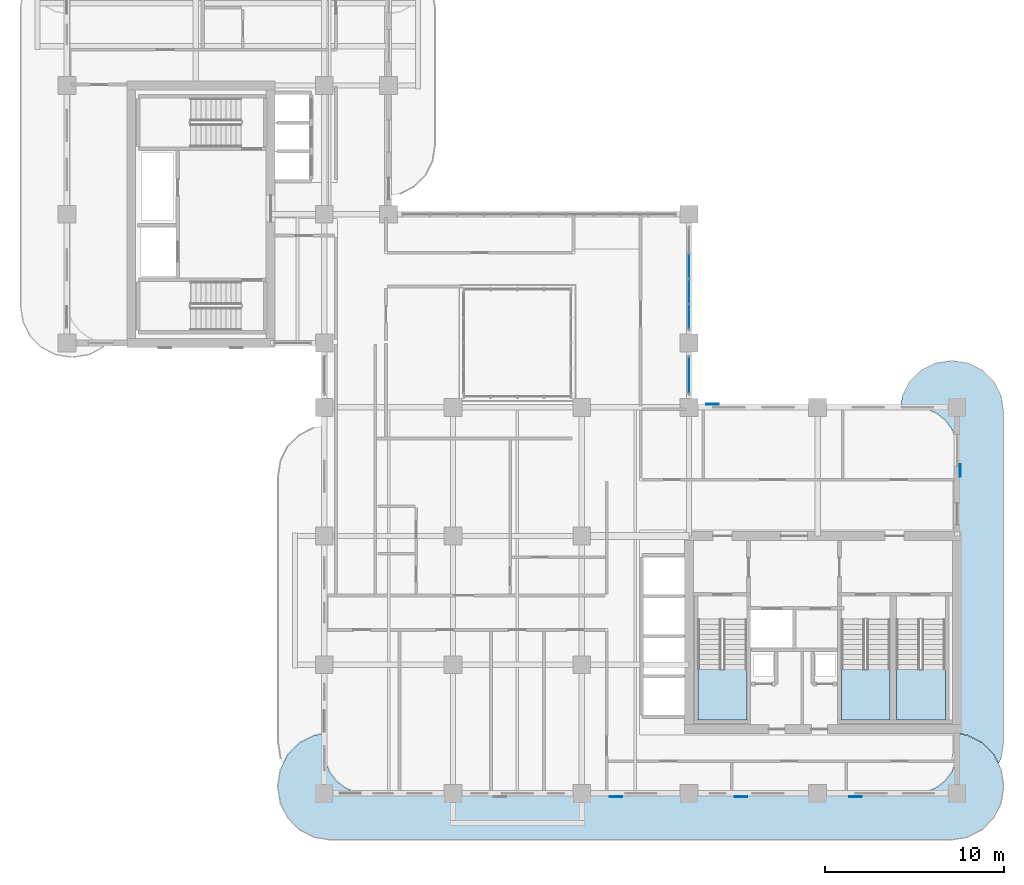
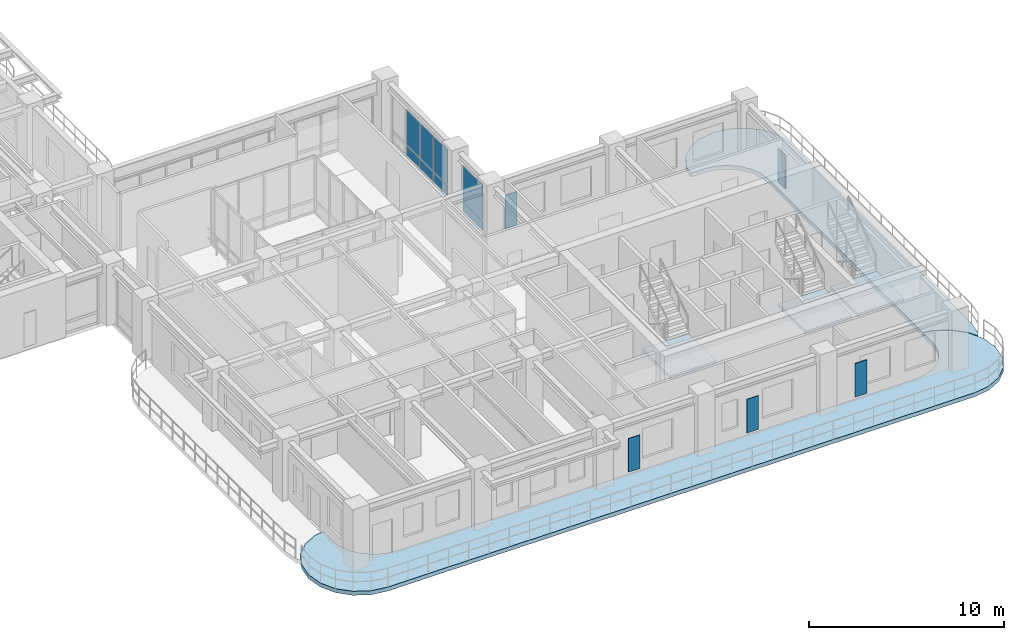
# One storey, part 9 of 20: 13 plates, 5 slabs, 5 elements without a shape of their own.
"""IFC4 building model written with IfcOpenShell, lengths in metres."""

from ifc_helpers import new_model, si_unit, derived_unit, direction, frame, origin, origin_2d, place, context, subcontext, project, spatial, polyline, rectangle, outline, extrude, source, transform, mapped, material, layer, layer_set, type_object, type_shapes, element, aggregate, save


model = new_model("IFC4")

# Units and contexts
model_context = context("Model", 3, precision=1e-05, world=origin(), true_north=direction((0.0, 1.0)))
body_context = subcontext(model_context, "Body", "Model", "MODEL_VIEW")
ifc_project = project(units=[si_unit("LENGTHUNIT", "METRE"), si_unit("AREAUNIT", "SQUARE_METRE"), si_unit("VOLUMEUNIT", "CUBIC_METRE"), si_unit("PLANEANGLEUNIT", "RADIAN"), si_unit("MASSUNIT", "GRAM", prefix="KILO"), si_unit("THERMODYNAMICTEMPERATUREUNIT", "KELVIN"), si_unit("POWERUNIT", "WATT"), derived_unit("THERMALTRANSMITTANCEUNIT", [(si_unit("POWERUNIT", "WATT"), 1), (si_unit("AREAUNIT", "SQUARE_METRE"), -1), (si_unit("THERMODYNAMICTEMPERATUREUNIT", "KELVIN"), -1)])], contexts=[model_context])

# Site, building, storey
site_placement = place(None, origin())
site = spatial("IfcSite", under=ifc_project, at=site_placement, CompositionType="ELEMENT")
building_placement = place(site_placement, origin())
building = spatial("IfcBuilding", under=site, at=building_placement, Name="Zahravan Archway Hotel and Residences", CompositionType="ELEMENT")
storey_placement = place(building_placement, frame((0.0, 0.0, 161.85009765625)))
storey = spatial("IfcBuildingStorey", under=building, at=storey_placement, Name="L40", CompositionType="ELEMENT", Elevation=161.85009765625)

# Slabs
ifc_material_1 = material(Name="Concrete C45/55", Category="concrete")
ifc_layer_1 = layer(ifc_material_1, 0.25, Name="Concrete C45/55", Category="concrete")
ifc_layer_set_1 = layer_set([ifc_layer_1], Name="Concrete C45/55")
slab_type_1 = type_object("IfcSlabType", Name="SLB-BALC-250", PredefinedType="FLOOR", material=ifc_layer_set_1)
slab_1_placement = place(storey_placement, frame((0.0, 0.0, -0.25)))
element("IfcSlab", 1, at=slab_1_placement, inside=storey, type_object=slab_type_1, Name="L40 Wing A South Rounded Balcony Band", PredefinedType="FLOOR", context=body_context, shape_type="SweptSolid", body=[
    extrude(outline(polyline([(50.361572265625, 3.255615234375), (51.18408203125, 2.836669921875), (51.836669921875, 2.18408203125), (52.255615234375, 1.361572265625), (52.39990234375, 0.449951171875), (52.39990234375, 0.35009765625), (52.255615234375, -0.5615234375), (51.836669921875, -1.384033203125), (51.18408203125, -2.03662109375), (50.361572265625, -2.45556640625), (49.449951171875, -2.60009765625), (14.75, -2.60009765625), (13.83837890625, -2.45556640625), (13.01611328125, -2.03662109375), (12.36328125, -1.384033203125), (11.9443359375, -0.5615234375), (11.800048828125, 0.35009765625), (11.800048828125, 0.449951171875), (11.9443359375, 1.361572265625), (12.36328125, 2.18408203125), (13.01611328125, 2.836669921875), (13.83837890625, 3.255615234375), (14.3798828125, 3.34130859375), (14.3798828125, 2.39990234375), (14.380126953125, 2.3974609375), (14.4619140625, 1.776123046875), (14.46240234375, 1.7744140625), (14.462646484375, 1.772705078125), (14.46337890625, 1.77099609375), (14.702880859375, 1.1923828125), (14.703857421875, 1.19091796875), (14.70458984375, 1.189208984375), (14.70556640625, 1.187744140625), (15.0869140625, 0.690673828125), (15.088134765625, 0.689453125), (15.08935546875, 0.688232421875), (15.0908203125, 0.68701171875), (15.587890625, 0.3056640625), (15.58935546875, 0.3046875), (15.5908203125, 0.3037109375), (15.59228515625, 0.302978515625), (16.171142578125, 0.063232421875), (16.1728515625, 0.062744140625), (16.174560546875, 0.062255859375), (16.17626953125, 0.06201171875), (16.79736328125, -0.019775390625), (16.800048828125, -0.02001953125), (47.39990234375, -0.02001953125), (47.402587890625, -0.019775390625), (48.023681640625, 0.06201171875), (48.025390625, 0.062255859375), (48.027099609375, 0.062744140625), (48.02880859375, 0.063232421875), (48.607666015625, 0.302978515625), (48.609130859375, 0.3037109375), (48.610595703125, 0.3046875), (48.6123046875, 0.3056640625), (49.109375, 0.68701171875), (49.110595703125, 0.688232421875), (49.11181640625, 0.689453125), (49.113037109375, 0.690673828125), (49.494384765625, 1.187744140625), (49.495361328125, 1.189208984375), (49.49609375, 1.19091796875), (49.4970703125, 1.1923828125), (49.73681640625, 1.77099609375), (49.7373046875, 1.772705078125), (49.73779296875, 1.7744140625), (49.738037109375, 1.776123046875), (49.81982421875, 2.3974609375), (49.820068359375, 2.39990234375), (49.820068359375, 3.34130859375), (50.361572265625, 3.255615234375)])), origin(), (0.0, 0.0, 1.0), 0.25),
])
slab_2_placement = place(storey_placement, frame((0.0, 0.0, -0.25)))
element("IfcSlab", 2, at=slab_2_placement, inside=storey, type_object=slab_type_1, Name="L40 Wing A East Rounded Balcony Band", PredefinedType="FLOOR", context=body_context, shape_type="SweptSolid", body=[
    extrude(outline(polyline([(46.739501953125, 22.230712890625), (47.144287109375, 23.025146484375), (47.77490234375, 23.65576171875), (48.5693359375, 24.060546875), (49.449951171875, 24.199951171875), (49.550048828125, 24.199951171875), (50.4306640625, 24.060546875), (51.22509765625, 23.65576171875), (51.855712890625, 23.025146484375), (52.260498046875, 22.230712890625), (52.39990234375, 21.35009765625), (52.39990234375, 2.85009765625), (52.260498046875, 1.96923828125), (52.114501953125, 1.6826171875), (51.8544921875, 2.193115234375), (51.853515625, 2.19482421875), (51.85205078125, 2.196533203125), (51.8505859375, 2.197998046875), (51.197998046875, 2.8505859375), (51.196533203125, 2.85205078125), (51.19482421875, 2.853515625), (51.193115234375, 2.8544921875), (50.37060546875, 3.2734375), (50.368896484375, 3.2744140625), (50.36669921875, 3.27490234375), (50.36474609375, 3.275390625), (49.822998046875, 3.361083984375), (49.8212890625, 3.361328125), (49.820068359375, 3.361328125), (49.820068359375, 19.199951171875), (49.81982421875, 19.20263671875), (49.738037109375, 19.82373046875), (49.73779296875, 19.825439453125), (49.7373046875, 19.8271484375), (49.73681640625, 19.828857421875), (49.4970703125, 20.40771484375), (49.49609375, 20.4091796875), (49.495361328125, 20.41064453125), (49.494384765625, 20.412109375), (49.113037109375, 20.9091796875), (49.11181640625, 20.91064453125), (49.110595703125, 20.911865234375), (49.109375, 20.9130859375), (48.6123046875, 21.29443359375), (48.610595703125, 21.29541015625), (48.609130859375, 21.296142578125), (48.607666015625, 21.297119140625), (48.02880859375, 21.53662109375), (48.027099609375, 21.537353515625), (48.025390625, 21.53759765625), (48.023681640625, 21.5380859375), (47.402587890625, 21.619873046875), (47.39990234375, 21.6201171875), (46.642822265625, 21.6201171875), (46.739501953125, 22.230712890625)])), origin(), (0.0, 0.0, 1.0), 0.25),
])

# Stair, slab
ifc_material_2 = material(Name="Concrete C50/60", Category="concrete")
stair_type = type_object("IfcStairType", Name="STR-CORE-1300", PredefinedType="HALF_TURN_STAIR", material=ifc_material_2)
stair_1_placement = place(storey_placement, origin())
stair_1 = element("IfcStair", 3, at=stair_1_placement, inside=storey, type_object=stair_type, Name="L40 Core A Exit Stair 1", PredefinedType="HALF_TURN_STAIR")
ifc_layer_2 = layer(ifc_material_2, 0.199951171875, Name="Concrete C50/60", Category="concrete")
ifc_layer_set_2 = layer_set([ifc_layer_2], Name="Concrete C50/60")
slab_type_2 = type_object("IfcSlabType", Name="SLB-LND-200", PredefinedType="LANDING", material=ifc_layer_set_2)
slab_3_placement = place(storey_placement, frame((0.0, 0.0, 1.724853515625)))
slab_3 = element("IfcSlab", 4, at=slab_3_placement, type_object=slab_type_2, Name="ST-A1 landing 1", PredefinedType="LANDING", context=body_context, shape_type="SweptSolid", body=[
    extrude(outline(polyline([(35.300048828125, 6.929931640625), (35.300048828125, 4.10009765625), (38.0400390625, 4.10009765625), (38.0400390625, 6.929931640625), (35.300048828125, 6.929931640625)])), origin(), (0.0, 0.0, 1.0), 0.199951171875),
])
aggregate(stair_1, [slab_3])

stair_2_placement = place(storey_placement, origin())
stair_2 = element("IfcStair", 5, at=stair_2_placement, inside=storey, type_object=stair_type, Name="L40 Core A Exit Stair 2", PredefinedType="HALF_TURN_STAIR")
slab_4_placement = place(storey_placement, frame((0.0, 0.0, 1.724853515625)))
slab_4 = element("IfcSlab", 6, at=slab_4_placement, type_object=slab_type_2, Name="ST-A2 landing 1", PredefinedType="LANDING", context=body_context, shape_type="SweptSolid", body=[
    extrude(outline(polyline([(43.320068359375, 6.929931640625), (43.320068359375, 4.10009765625), (46.06005859375, 4.10009765625), (46.06005859375, 6.929931640625), (43.320068359375, 6.929931640625)])), origin(), (0.0, 0.0, 1.0), 0.199951171875),
])
aggregate(stair_2, [slab_4])

stair_3_placement = place(storey_placement, origin())
stair_3 = element("IfcStair", 7, at=stair_3_placement, inside=storey, type_object=stair_type, Name="L40 Core A Exit Stair 3", PredefinedType="HALF_TURN_STAIR")
slab_5_placement = place(storey_placement, frame((0.0, 0.0, 1.724853515625)))
slab_5 = element("IfcSlab", 8, at=slab_5_placement, type_object=slab_type_2, Name="ST-A3 landing 1", PredefinedType="LANDING", context=body_context, shape_type="SweptSolid", body=[
    extrude(outline(polyline([(46.39990234375, 6.929931640625), (46.39990234375, 4.10009765625), (49.139892578125, 4.10009765625), (49.139892578125, 6.929931640625), (46.39990234375, 6.929931640625)])), origin(), (0.0, 0.0, 1.0), 0.199951171875),
])
aggregate(stair_3, [slab_5])

# Plates
ifc_material_3 = material(Name="Perforated Cast Bronze Jali Lattice")
ifc_layer_3 = layer(ifc_material_3, 0.044921875, Name="Perforated Cast Bronze Jali Lattice")
ifc_layer_set_3 = layer_set([ifc_layer_3], Name="Perforated Cast Bronze Jali Lattice")
plate_type_1 = type_object("IfcPlateType", Name="PLT-JALI-BAY", PredefinedType="USERDEFINED", material=ifc_layer_set_3)
shared_shape_1 = source(origin(), body_context, "Body", "SweptSolid", [
    extrude(rectangle(XDim=0.699951171875, YDim=0.044921875, at=origin_2d()), origin(), (0.0, 0.0, 1.0), 2.10009765625),
])
type_shapes(plate_type_1, [shared_shape_1])
for number, where, z_axis, x_axis, name in (
    (9, (30.7080078125, -0.177978515625, 0.249755859375), (0.0, 0.0, 1.0), (1.0, 0.0, 0.0), "L40 Perforated Bronze Jali Pier Screen 02"),
    (10, (37.7080078125, -0.177978515625, 0.249755859375), (0.0, 0.0, 1.0), (1.0, 0.0, 0.0), "L40 Perforated Bronze Jali Pier Screen 03"),
    (11, (44.10791015625, -0.177978515625, 0.249755859375), (0.0, 0.0, 1.0), (1.0, 0.0, 0.0), "L40 Perforated Bronze Jali Pier Screen 04"),
    (12, (49.97802734375, 18.05908203125, 0.249755859375), (0.0, 0.0, 1.0), (0.0, 1.0, 0.0), "L40 Perforated Bronze Jali Pier Screen 05"),
    (13, (36.10791015625, 21.778076171875, 0.249755859375), (0.0, 0.0, 1.0), (1.0, 0.0, 0.0), "L40 Perforated Bronze Jali Pier Screen 06"),
):
    element("IfcPlate", number, at=place(storey_placement, frame(where, z_axis=z_axis, x_axis=x_axis)), inside=storey, type_object=plate_type_1, Name=name, ObjectType="SCREEN", PredefinedType="USERDEFINED", context=body_context, shape_type="MappedRepresentation", body=[
        mapped(shared_shape_1, transform((0.0, 0.0, 0.0), scale=1.0)),
    ])

# Curtain wall, plates
ifc_material_4 = material(Name="Bronze-Anodized Unitised Aluminium & Low-E Glass", Category="aluminium")
ifc_layer_4 = layer(ifc_material_4, 0.179931640625, Name="Bronze-Anodized Unitised Aluminium & Low-E Glass", Category="aluminium")
ifc_layer_set_4 = layer_set([ifc_layer_4], Name="Bronze-Anodized Unitised Aluminium & Low-E Glass")
curtain_wall_type = type_object("IfcCurtainWallType", Name="CW-TWR-FEAT", PredefinedType="NOTDEFINED", material=ifc_layer_set_4)
curtain_wall_1_placement = place(storey_placement, origin())
curtain_wall_1 = element("IfcCurtainWall", 14, at=curtain_wall_1_placement, inside=storey, type_object=curtain_wall_type, Name="L40 Curtain Wall CW-L40-HNG-E-1", PredefinedType="NOTDEFINED")
ifc_material_5 = material(Name="Insulated Terracotta Spandrel Panel", Category="masonry")
ifc_layer_5 = layer(ifc_material_5, 0.0400390625, Name="Insulated Terracotta Spandrel Panel", Category="masonry")
ifc_layer_set_5 = layer_set([ifc_layer_5], Name="Insulated Terracotta Spandrel Panel")
plate_type_2 = type_object("IfcPlateType", Name="CWP-SPN-40", PredefinedType="SHEET", material=ifc_layer_set_5)
shared_shape_2 = source(origin(), body_context, "Body", "SweptSolid", [
    extrude(rectangle(XDim=2.0, YDim=0.0400390625, at=origin_2d()), origin(), (0.0, 0.0, 1.0), 0.600341796875),
])
plate_1_placement = place(storey_placement, frame((34.800048828125, 23.39990234375, 0.10009765625), z_axis=(0.0, 0.0, 1.0), x_axis=(0.0, 1.0, 0.0)))
plate_1 = element("IfcPlate", 15, at=plate_1_placement, type_object=plate_type_2, Name="CW-L40-HNG-E-1 Spandrel Panel 0", PredefinedType="SHEET", context=body_context, shape_type="MappedRepresentation", body=[
    mapped(shared_shape_2, transform((0.0, 0.0, 0.0), scale=1.0)),
])
ifc_material_6 = material(Name="Double-Silver Low-E Insulated Vision Glass", Category="glass")
ifc_layer_6 = layer(ifc_material_6, 0.028076171875, Name="Double-Silver Low-E Insulated Vision Glass", Category="glass")
ifc_layer_set_6 = layer_set([ifc_layer_6], Name="Double-Silver Low-E Insulated Vision Glass")
plate_type_3 = type_object("IfcPlateType", Name="CWP-GLZ-28", PredefinedType="CURTAIN_PANEL", material=ifc_layer_set_6)
shared_shape_3 = source(origin(), body_context, "Body", "SweptSolid", [
    extrude(rectangle(XDim=2.0, YDim=0.028076171875, at=origin_2d()), origin(), (0.0, 0.0, 1.0), 2.20458984375),
])
plate_2_placement = place(storey_placement, frame((34.800048828125, 23.39990234375, 0.7802734375), z_axis=(0.0, 0.0, 1.0), x_axis=(0.0, 1.0, 0.0)))
plate_2 = element("IfcPlate", 16, at=plate_2_placement, type_object=plate_type_3, Name="CW-L40-HNG-E-1 Low-E Vision Panel 0", PredefinedType="CURTAIN_PANEL", context=body_context, shape_type="MappedRepresentation", body=[
    mapped(shared_shape_3, transform((0.0, 0.0, 0.0), scale=1.0)),
])
aggregate(curtain_wall_1, [plate_1, plate_2])

curtain_wall_2_placement = place(storey_placement, origin())
curtain_wall_2 = element("IfcCurtainWall", 17, at=curtain_wall_2_placement, inside=storey, type_object=curtain_wall_type, Name="L40 Curtain Wall CW-L40-HNG-E-2", PredefinedType="NOTDEFINED")
shared_shape_4 = source(origin(), body_context, "Body", "SweptSolid", [
    extrude(rectangle(XDim=1.340087890625, YDim=0.0400390625, at=origin_2d()), origin(), (0.0, 0.0, 1.0), 0.600341796875),
])
plate_3_placement = place(storey_placement, frame((34.800048828125, 26.669921875, 0.10009765625), z_axis=(0.0, 0.0, 1.0), x_axis=(0.0, 1.0, 0.0)))
plate_3 = element("IfcPlate", 18, at=plate_3_placement, type_object=plate_type_2, Name="CW-L40-HNG-E-2 Spandrel Panel 0", PredefinedType="SHEET", context=body_context, shape_type="MappedRepresentation", body=[
    mapped(shared_shape_4, transform((0.0, 0.0, 0.0), scale=1.0)),
])
plate_4_placement = place(storey_placement, frame((34.800048828125, 28.090087890625, 0.10009765625), z_axis=(0.0, 0.0, 1.0), x_axis=(0.0, 1.0, 0.0)))
plate_4 = element("IfcPlate", 19, at=plate_4_placement, type_object=plate_type_2, Name="CW-L40-HNG-E-2 Spandrel Panel 1", PredefinedType="SHEET", context=body_context, shape_type="MappedRepresentation", body=[
    mapped(shared_shape_4, transform((0.0, 0.0, 0.0), scale=1.0)),
])
plate_5_placement = place(storey_placement, frame((34.800048828125, 29.510009765625, 0.10009765625), z_axis=(0.0, 0.0, 1.0), x_axis=(0.0, 1.0, 0.0)))
plate_5 = element("IfcPlate", 20, at=plate_5_placement, type_object=plate_type_2, Name="CW-L40-HNG-E-2 Spandrel Panel 2", PredefinedType="SHEET", context=body_context, shape_type="MappedRepresentation", body=[
    mapped(shared_shape_4, transform((0.0, 0.0, 0.0), scale=1.0)),
])
shared_shape_5 = source(origin(), body_context, "Body", "SweptSolid", [
    extrude(rectangle(XDim=1.340087890625, YDim=0.028076171875, at=origin_2d()), origin(), (0.0, 0.0, 1.0), 2.20458984375),
])
plate_6_placement = place(storey_placement, frame((34.800048828125, 26.669921875, 0.7802734375), z_axis=(0.0, 0.0, 1.0), x_axis=(0.0, 1.0, 0.0)))
plate_6 = element("IfcPlate", 21, at=plate_6_placement, type_object=plate_type_3, Name="CW-L40-HNG-E-2 Low-E Vision Panel 0", PredefinedType="CURTAIN_PANEL", context=body_context, shape_type="MappedRepresentation", body=[
    mapped(shared_shape_5, transform((0.0, 0.0, 0.0), scale=1.0)),
])
plate_7_placement = place(storey_placement, frame((34.800048828125, 28.090087890625, 0.7802734375), z_axis=(0.0, 0.0, 1.0), x_axis=(0.0, 1.0, 0.0)))
plate_7 = element("IfcPlate", 22, at=plate_7_placement, type_object=plate_type_3, Name="CW-L40-HNG-E-2 Low-E Vision Panel 1", PredefinedType="CURTAIN_PANEL", context=body_context, shape_type="MappedRepresentation", body=[
    mapped(shared_shape_5, transform((0.0, 0.0, 0.0), scale=1.0)),
])
plate_8_placement = place(storey_placement, frame((34.800048828125, 29.510009765625, 0.7802734375), z_axis=(0.0, 0.0, 1.0), x_axis=(0.0, 1.0, 0.0)))
plate_8 = element("IfcPlate", 23, at=plate_8_placement, type_object=plate_type_3, Name="CW-L40-HNG-E-2 Low-E Vision Panel 2", PredefinedType="CURTAIN_PANEL", context=body_context, shape_type="MappedRepresentation", body=[
    mapped(shared_shape_5, transform((0.0, 0.0, 0.0), scale=1.0)),
])
aggregate(curtain_wall_2, [plate_3, plate_6, plate_4, plate_7, plate_5, plate_8])

save(model, "model.ifc")
